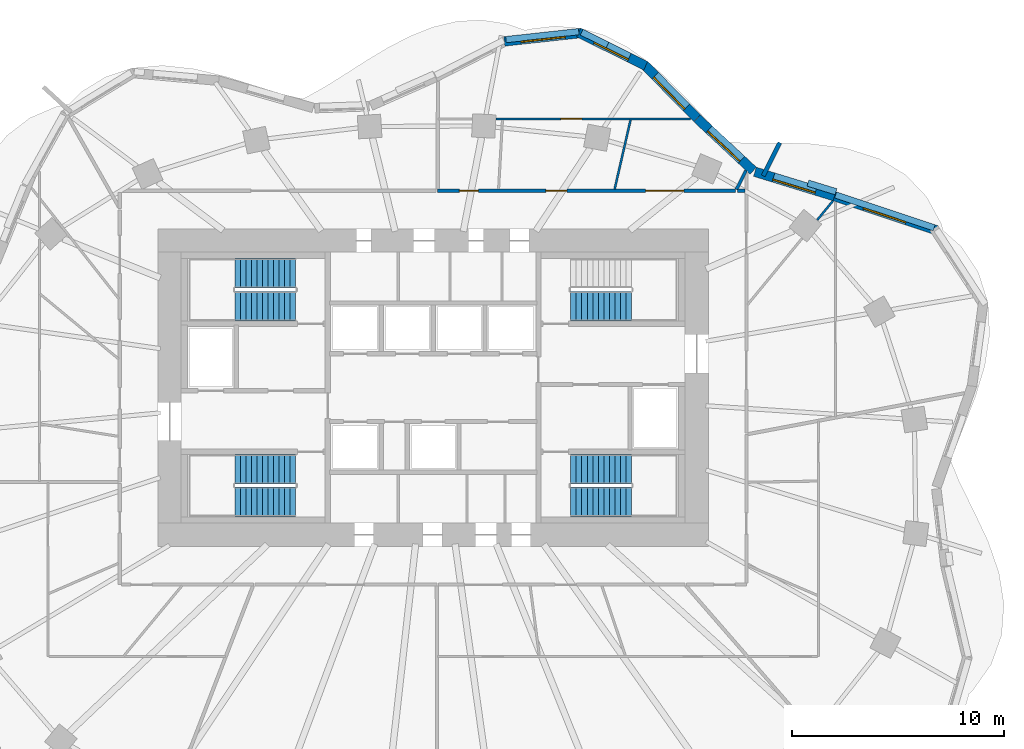
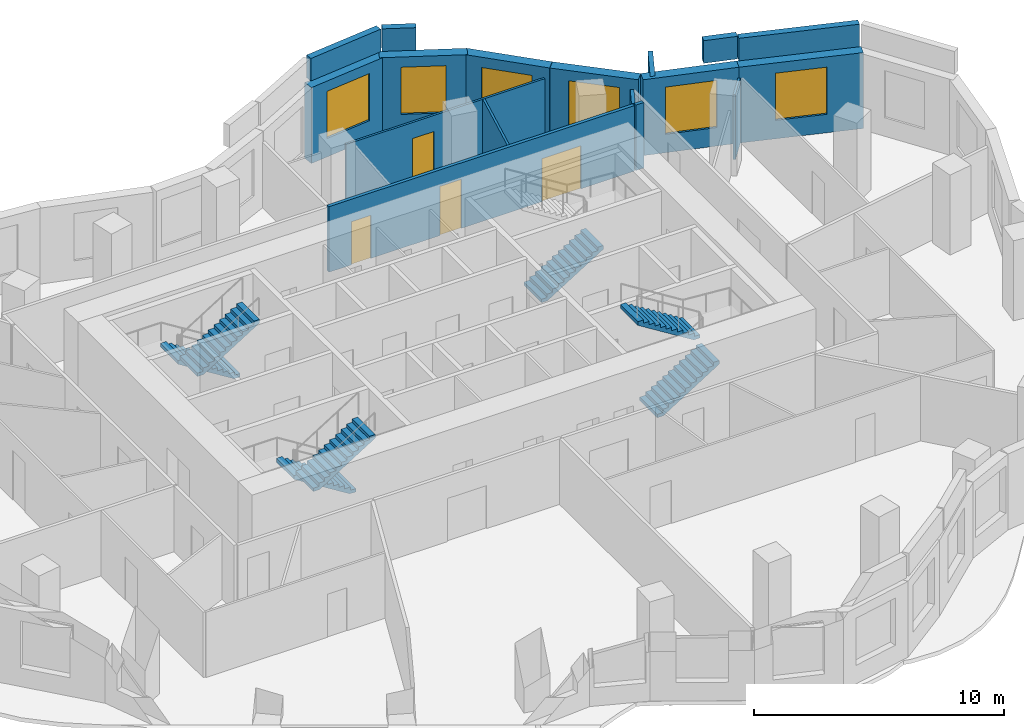
# One storey, part 8 of 10: 17 walls, 7 stair flights, 6 windows, 4 doors, 10 openings, 4 elements without a shape of their own.
"""IFC4 building model written with IfcOpenShell, lengths in metres."""

from ifc_helpers import new_model, si_unit, direction, frame, frame_2d, origin, place, context, subcontext, project, spatial, polyline, rectangle, outline, extrude, material, layer, layer_set, type_object, element, fill, aggregate, save


model = new_model("IFC4")

# Units and contexts
model_context = context("Model", 3, precision=1e-05, world=origin(), true_north=direction((0.0, 1.0)))
body_context = subcontext(model_context, "Body", "Model", "MODEL_VIEW")
ifc_project = project(units=[si_unit("LENGTHUNIT", "METRE"), si_unit("AREAUNIT", "SQUARE_METRE"), si_unit("VOLUMEUNIT", "CUBIC_METRE"), si_unit("PLANEANGLEUNIT", "RADIAN"), si_unit("MASSUNIT", "GRAM", prefix="KILO")], contexts=[model_context])

# Site, building, storey
site_placement = place(None, origin())
site = spatial("IfcSite", under=ifc_project, at=site_placement, CompositionType="ELEMENT")
building_placement = place(site_placement, origin())
building = spatial("IfcBuilding", under=site, at=building_placement, Name="Rubra Terraces Tower", CompositionType="ELEMENT")
storey_placement = place(building_placement, frame((0.0, 0.0, 153.89990234375)))
storey = spatial("IfcBuildingStorey", under=building, at=storey_placement, Name="L37", CompositionType="ELEMENT", Elevation=153.89990234375)

# Wall, opening, window
ifc_material_1 = material(Name="Brick masonry red-brown", Category="masonry")
ifc_layer_1 = layer(ifc_material_1, 0.449951171875)
ifc_layer_set_1 = layer_set([ifc_layer_1], Name="Brick masonry red-brown")
wall_type_1 = type_object("IfcWallType", Name="Brick facade wall 450", PredefinedType="SOLIDWALL", material=ifc_layer_set_1)
wall_1_placement = place(storey_placement, frame((23.769775390625, 11.93798828125, 0.0), z_axis=(0.0, 0.0, 1.0), x_axis=(-0.948673679101, 0.316256621402, 0.0)))
wall_1 = element("IfcWall", 1, at=wall_1_placement, inside=storey, type_object=wall_type_1, Name="Facade wall L37 bay 4", PredefinedType="SOLIDWALL", context=body_context, shape_type="SweptSolid", body=[
    extrude(rectangle(XDim=5.076416015625, YDim=0.449951171875, at=frame_2d((2.5380859375, 0.0))), origin(), (0.0, 0.0, 1.0), 3.7001953125),
])
opening_1_placement = place(wall_1_placement, frame((1.48828125, 0.0, 0.89990234375)))
opening_1 = element("IfcOpeningElement", 2, at=opening_1_placement, cuts=wall_1, Name="Opening W1B", PredefinedType="OPENING", context=body_context, shape_type="SweptSolid", body=[
    extrude(rectangle(XDim=2.10009765625, YDim=2.300048828125, at=frame_2d((1.050048828125, 1.14990234375))), frame((0.0, 0.23486328125, 0.0), z_axis=(0.0, -1.0, 0.0), x_axis=(1.0, 0.0, 0.0)), (0.0, 0.0, 1.0), 0.469970703125),
])
ifc_material_2 = material(Name="Clear glass in aluminium frame", Category="aluminium")
window_type_1 = type_object("IfcWindowType", Name="Fixed deep-set window tall storey 2100 x 2300", PartitioningType="SINGLE_PANEL", PredefinedType="WINDOW", material=ifc_material_2)
window_1_placement = place(opening_1_placement, origin())
window_1 = element("IfcWindow", 3, at=window_1_placement, inside=storey, type_object=window_type_1, Name="Window L37 bay 4", OverallHeight=2.300048828125, OverallWidth=2.10009765625, PartitioningType="SINGLE_PANEL", PredefinedType="WINDOW", context=body_context, shape_type="SweptSolid", body=[
    extrude(rectangle(XDim=2.10009765625, YDim=2.300048828125, at=frame_2d((1.050048828125, 1.14990234375))), frame((0.0, 0.135009765625, 0.0), z_axis=(0.0, -1.0, 0.0), x_axis=(1.0, 0.0, 0.0)), (0.0, 0.0, 1.0), 0.06005859375),
])
fill(opening_1, window_1)

wall_2_placement = place(storey_placement, frame((18.95751953125, 13.542236328125, 0.0), z_axis=(0.0, 0.0, 1.0), x_axis=(-0.955792437529, 0.294042201668, 0.0)))
wall_2 = element("IfcWall", 4, at=wall_2_placement, inside=storey, type_object=wall_type_1, Name="Facade wall L37 bay 5", PredefinedType="SOLIDWALL", context=body_context, shape_type="SweptSolid", body=[
    extrude(rectangle(XDim=3.9306640625, YDim=0.449951171875, at=frame_2d((1.96533203125, 0.0))), origin(), (0.0, 0.0, 1.0), 3.7001953125),
])
opening_2_placement = place(wall_2_placement, frame((0.915283203125, 0.0, 0.89990234375)))
opening_2 = element("IfcOpeningElement", 5, at=opening_2_placement, cuts=wall_2, Name="Opening W1B", PredefinedType="OPENING", context=body_context, shape_type="SweptSolid", body=[
    extrude(rectangle(XDim=2.10009765625, YDim=2.300048828125, at=frame_2d((1.050048828125, 1.14990234375))), frame((0.0, 0.23486328125, 0.0), z_axis=(0.0, -1.0, 0.0), x_axis=(1.0, 0.0, 0.0)), (0.0, 0.0, 1.0), 0.469970703125),
])
window_2_placement = place(opening_2_placement, origin())
window_2 = element("IfcWindow", 6, at=window_2_placement, inside=storey, type_object=window_type_1, Name="Window L37 bay 5", OverallHeight=2.300048828125, OverallWidth=2.10009765625, PartitioningType="SINGLE_PANEL", PredefinedType="WINDOW", context=body_context, shape_type="SweptSolid", body=[
    extrude(rectangle(XDim=2.10009765625, YDim=2.300048828125, at=frame_2d((1.050048828125, 1.14990234375))), frame((0.0, 0.135009765625, 0.0), z_axis=(0.0, -1.0, 0.0), x_axis=(1.0, 0.0, 0.0)), (0.0, 0.0, 1.0), 0.06005859375),
])
fill(opening_2, window_2)

wall_3_placement = place(storey_placement, frame((15.120849609375, 14.744873046875, 0.0), z_axis=(0.0, 0.0, 1.0), x_axis=(-0.730618259172, 0.68278617397, 0.0)))
wall_3 = element("IfcWall", 7, at=wall_3_placement, inside=storey, type_object=wall_type_1, Name="Facade wall L37 bay 6", PredefinedType="SOLIDWALL", context=body_context, shape_type="SweptSolid", body=[
    extrude(rectangle(XDim=3.6240234375, YDim=0.449951171875, at=frame_2d((1.81201171875, 0.0))), origin(), (0.0, 0.0, 1.0), 3.7001953125),
])
opening_3_placement = place(wall_3_placement, frame((0.76220703125, 0.0, 0.89990234375)))
opening_3 = element("IfcOpeningElement", 8, at=opening_3_placement, cuts=wall_3, Name="Opening W1B", PredefinedType="OPENING", context=body_context, shape_type="SweptSolid", body=[
    extrude(rectangle(XDim=2.10009765625, YDim=2.300048828125, at=frame_2d((1.050048828125, 1.14990234375))), frame((0.0, 0.23486328125, 0.0), z_axis=(0.0, -1.0, 0.0), x_axis=(1.0, 0.0, 0.0)), (0.0, 0.0, 1.0), 0.469970703125),
])
window_3_placement = place(opening_3_placement, origin())
window_3 = element("IfcWindow", 9, at=window_3_placement, inside=storey, type_object=window_type_1, Name="Window L37 bay 6", OverallHeight=2.300048828125, OverallWidth=2.10009765625, PartitioningType="SINGLE_PANEL", PredefinedType="WINDOW", context=body_context, shape_type="SweptSolid", body=[
    extrude(rectangle(XDim=2.10009765625, YDim=2.300048828125, at=frame_2d((1.050048828125, 1.14990234375))), frame((0.0, 0.135009765625, 0.0), z_axis=(0.0, -1.0, 0.0), x_axis=(1.0, 0.0, 0.0)), (0.0, 0.0, 1.0), 0.06005859375),
])
fill(opening_3, window_3)

wall_4_placement = place(storey_placement, frame((12.46630859375, 17.2255859375, 0.0), z_axis=(0.0, 0.0, 1.0), x_axis=(-0.701875966769, 0.712299183821, 0.0)))
wall_4 = element("IfcWall", 10, at=wall_4_placement, inside=storey, type_object=wall_type_1, Name="Facade wall L37 bay 7", PredefinedType="SOLIDWALL", context=body_context, shape_type="SweptSolid", body=[
    extrude(rectangle(XDim=3.536865234375, YDim=0.449951171875, at=frame_2d((1.7685546875, 0.0))), origin(), (0.0, 0.0, 1.0), 3.7001953125),
])
opening_4_placement = place(wall_4_placement, frame((0.71826171875, 0.0, 0.89990234375)))
opening_4 = element("IfcOpeningElement", 11, at=opening_4_placement, cuts=wall_4, Name="Opening W1B", PredefinedType="OPENING", context=body_context, shape_type="SweptSolid", body=[
    extrude(rectangle(XDim=2.10009765625, YDim=2.300048828125, at=frame_2d((1.050048828125, 1.14990234375))), frame((0.0, 0.23486328125, 0.0), z_axis=(0.0, -1.0, 0.0), x_axis=(1.0, 0.0, 0.0)), (0.0, 0.0, 1.0), 0.469970703125),
])
window_4_placement = place(opening_4_placement, origin())
window_4 = element("IfcWindow", 12, at=window_4_placement, inside=storey, type_object=window_type_1, Name="Window L37 bay 7", OverallHeight=2.300048828125, OverallWidth=2.10009765625, PartitioningType="SINGLE_PANEL", PredefinedType="WINDOW", context=body_context, shape_type="SweptSolid", body=[
    extrude(rectangle(XDim=2.10009765625, YDim=2.300048828125, at=frame_2d((1.050048828125, 1.14990234375))), frame((0.0, 0.135009765625, 0.0), z_axis=(0.0, -1.0, 0.0), x_axis=(1.0, 0.0, 0.0)), (0.0, 0.0, 1.0), 0.06005859375),
])
fill(opening_4, window_4)

wall_5_placement = place(storey_placement, frame((10.041748046875, 19.70361328125, 0.0), z_axis=(0.0, 0.0, 1.0), x_axis=(-0.895268695224, 0.445526613517, 0.0)))
wall_5 = element("IfcWall", 13, at=wall_5_placement, inside=storey, type_object=wall_type_1, Name="Facade wall L37 bay 8", PredefinedType="SOLIDWALL", context=body_context, shape_type="SweptSolid", body=[
    extrude(rectangle(XDim=3.532958984375, YDim=0.449951171875, at=frame_2d((1.7666015625, 0.0))), origin(), (0.0, 0.0, 1.0), 3.7001953125),
])
opening_5_placement = place(wall_5_placement, frame((0.866455078125, 0.0, 0.89990234375)))
opening_5 = element("IfcOpeningElement", 14, at=opening_5_placement, cuts=wall_5, Name="Opening W6B", PredefinedType="OPENING", context=body_context, shape_type="SweptSolid", body=[
    extrude(rectangle(XDim=1.800048828125, YDim=2.300048828125, at=frame_2d((0.89990234375, 1.14990234375))), frame((0.0, 0.23486328125, 0.0), z_axis=(0.0, -1.0, 0.0), x_axis=(1.0, 0.0, 0.0)), (0.0, 0.0, 1.0), 0.469970703125),
])
window_type_2 = type_object("IfcWindowType", Name="Fixed deep-set window at wind fin tall storey 1800 x 2300", PartitioningType="SINGLE_PANEL", PredefinedType="WINDOW", material=ifc_material_2)
window_5_placement = place(opening_5_placement, origin())
window_5 = element("IfcWindow", 15, at=window_5_placement, inside=storey, type_object=window_type_2, Name="Window L37 bay 8", OverallHeight=2.300048828125, OverallWidth=1.800048828125, PartitioningType="SINGLE_PANEL", PredefinedType="WINDOW", context=body_context, shape_type="SweptSolid", body=[
    extrude(rectangle(XDim=1.800048828125, YDim=2.300048828125, at=frame_2d((0.89990234375, 1.14990234375))), frame((0.0, 0.135009765625, 0.0), z_axis=(0.0, -1.0, 0.0), x_axis=(1.0, 0.0, 0.0)), (0.0, 0.0, 1.0), 0.06005859375),
])
fill(opening_5, window_5)

wall_6_placement = place(storey_placement, frame((7.00341796875, 21.25537109375, 0.0), z_axis=(0.0, 0.0, 1.0), x_axis=(-0.99407653264, -0.108682322638, 0.0)))
wall_6 = element("IfcWall", 16, at=wall_6_placement, inside=storey, type_object=wall_type_1, Name="Facade wall L37 bay 9", PredefinedType="SOLIDWALL", context=body_context, shape_type="SweptSolid", body=[
    extrude(rectangle(XDim=3.66162109375, YDim=0.449951171875, at=frame_2d((1.830810546875, 0.0))), origin(), (0.0, 0.0, 1.0), 3.7001953125),
])
opening_6_placement = place(wall_6_placement, frame((0.78076171875, 0.0, 0.89990234375)))
opening_6 = element("IfcOpeningElement", 17, at=opening_6_placement, cuts=wall_6, Name="Opening W1B", PredefinedType="OPENING", context=body_context, shape_type="SweptSolid", body=[
    extrude(rectangle(XDim=2.10009765625, YDim=2.300048828125, at=frame_2d((1.050048828125, 1.14990234375))), frame((0.0, 0.23486328125, 0.0), z_axis=(0.0, -1.0, 0.0), x_axis=(1.0, 0.0, 0.0)), (0.0, 0.0, 1.0), 0.469970703125),
])
window_6_placement = place(opening_6_placement, origin())
window_6 = element("IfcWindow", 18, at=window_6_placement, inside=storey, type_object=window_type_1, Name="Window L37 bay 9", OverallHeight=2.300048828125, OverallWidth=2.10009765625, PartitioningType="SINGLE_PANEL", PredefinedType="WINDOW", context=body_context, shape_type="SweptSolid", body=[
    extrude(rectangle(XDim=2.10009765625, YDim=2.300048828125, at=frame_2d((1.050048828125, 1.14990234375))), frame((0.0, 0.135009765625, 0.0), z_axis=(0.0, -1.0, 0.0), x_axis=(1.0, 0.0, 0.0)), (0.0, 0.0, 1.0), 0.06005859375),
])
fill(opening_6, window_6)

# Walls
ifc_layer_2 = layer(ifc_material_1, 0.300048828125)
ifc_layer_set_2 = layer_set([ifc_layer_2], Name="Brick masonry red-brown")
wall_type_2 = type_object("IfcWallType", Name="Brick parapet 300", PredefinedType="PARAPET", material=ifc_layer_set_2)
wall_7_placement = place(storey_placement, frame((23.669677734375, 12.05029296875, 3.900146484375), z_axis=(0.0, 0.0, 1.0), x_axis=(-0.948668385515, 0.316272500107, 0.0)))
element("IfcWall", 19, at=wall_7_placement, inside=storey, type_object=wall_type_2, Name="Parapet L37 bay 4", PredefinedType="PARAPET", context=body_context, shape_type="SweptSolid", body=[
    extrude(rectangle(XDim=4.911865234375, YDim=0.300048828125, at=frame_2d((2.4560546875, 0.0))), origin(), (0.0, 0.0, 1.0), 1.099853515625),
])
wall_8_placement = place(storey_placement, frame((19.029052734375, 13.755615234375, 3.900146484375), z_axis=(0.0, 0.0, 1.0), x_axis=(-0.955790436059, 0.294048707425, 0.0)))
element("IfcWall", 20, at=wall_8_placement, inside=storey, type_object=wall_type_2, Name="Parapet L37 bay 5", PredefinedType="PARAPET", context=body_context, shape_type="SweptSolid", body=[
    extrude(rectangle(XDim=1.3857421875, YDim=0.300048828125, at=frame_2d((0.69287109375, 0.0))), origin(), (0.0, 0.0, 1.0), 1.099853515625),
])
wall_9_placement = place(storey_placement, frame((8.23681640625, 20.685546875, 3.900146484375), z_axis=(0.0, 0.0, 1.0), x_axis=(-0.895321970712, 0.445419542409, 0.0)))
element("IfcWall", 21, at=wall_9_placement, inside=storey, type_object=wall_type_2, Name="Parapet L37 bay 8", PredefinedType="PARAPET", context=body_context, shape_type="SweptSolid", body=[
    extrude(rectangle(XDim=1.361572265625, YDim=0.300048828125, at=frame_2d((0.6806640625, 0.0))), origin(), (0.0, 0.0, 1.0), 1.099853515625),
])
wall_10_placement = place(storey_placement, frame((6.8779296875, 21.317138671875, 3.900146484375), z_axis=(0.0, 0.0, 1.0), x_axis=(-0.994072526282, -0.108718961045, 0.0)))
element("IfcWall", 22, at=wall_10_placement, inside=storey, type_object=wall_type_2, Name="Parapet L37 bay 9", PredefinedType="PARAPET", context=body_context, shape_type="SweptSolid", body=[
    extrude(rectangle(XDim=3.458251953125, YDim=0.300048828125, at=frame_2d((1.72900390625, 0.0))), origin(), (0.0, 0.0, 1.0), 1.099853515625),
])
ifc_layer_3 = layer(ifc_material_1, 0.199951171875)
ifc_layer_set_3 = layer_set([ifc_layer_3], Name="Brick masonry red-brown")
wall_type_3 = type_object("IfcWallType", Name="Brick wind fin 200", PredefinedType="SOLIDWALL", material=ifc_layer_set_3)
wall_11_placement = place(storey_placement, frame((15.5869140625, 14.507080078125, 0.0), z_axis=(0.0, 0.0, 1.0), x_axis=(0.452117231361, 0.89195852432, 0.0)))
element("IfcWall", 23, at=wall_11_placement, inside=storey, type_object=wall_type_3, Name="Wind fin L37 3", PredefinedType="SOLIDWALL", context=body_context, shape_type="SweptSolid", body=[
    extrude(rectangle(XDim=1.75, YDim=0.199951171875, at=frame_2d((0.875, 0.0))), origin(), (0.0, 0.0, 1.0), 3.7001953125),
])

# Wall, openings, doors
ifc_material_3 = material(Name="Plasterboard on steel stud, mineral wool infill", Category="steel")
ifc_layer_4 = layer(ifc_material_3, 0.14990234375)
ifc_layer_set_4 = layer_set([ifc_layer_4], Name="Plasterboard on steel stud, mineral wool infill")
wall_type_4 = type_object("IfcWallType", Name="CORRIDOR PARTITION 150", PredefinedType="PARTITIONING", material=ifc_layer_set_4)
wall_12_placement = place(storey_placement, frame((14.2919921875, 13.800048828125, 0.0), z_axis=(0.0, 0.0, 1.0), x_axis=(-1.0, 0.0, 0.0)))
wall_12 = element("IfcWall", 24, at=wall_12_placement, inside=storey, type_object=wall_type_4, Name="PARTITION", PredefinedType="PARTITIONING", context=body_context, shape_type="SweptSolid", body=[
    extrude(rectangle(XDim=14.078125, YDim=0.14990234375, at=frame_2d((7.0390625, 0.0))), origin(), (0.0, 0.0, 1.0), 3.197998046875),
])
opening_7_placement = place(wall_12_placement, frame((2.449951171875, 0.0, 0.0)))
opening_7 = element("IfcOpeningElement", 25, at=opening_7_placement, cuts=wall_12, Name="Opening 37-101", PredefinedType="OPENING", context=body_context, shape_type="SweptSolid", body=[
    extrude(rectangle(XDim=1.800048828125, YDim=2.10009765625, at=frame_2d((0.89990234375, 1.050048828125))), frame((0.0, 0.0849609375, 0.0), z_axis=(0.0, -1.0, 0.0), x_axis=(1.0, 0.0, 0.0)), (0.0, 0.0, 1.0), 0.169921875),
])
opening_8_placement = place(wall_12_placement, frame((7.970947265625, 0.0, 0.0)))
opening_8 = element("IfcOpeningElement", 26, at=opening_8_placement, cuts=wall_12, Name="Opening 37-102", PredefinedType="OPENING", context=body_context, shape_type="SweptSolid", body=[
    extrude(rectangle(XDim=1.0, YDim=2.39990234375, at=frame_2d((0.5, 1.199951171875))), frame((0.0, 0.0849609375, 0.0), z_axis=(0.0, -1.0, 0.0), x_axis=(1.0, 0.0, 0.0)), (0.0, 0.0, 1.0), 0.169921875),
])
opening_9_placement = place(wall_12_placement, frame((12.14990234375, 0.0, 0.0)))
opening_9 = element("IfcOpeningElement", 27, at=opening_9_placement, cuts=wall_12, Name="Opening 37-125", PredefinedType="OPENING", context=body_context, shape_type="SweptSolid", body=[
    extrude(rectangle(XDim=0.89990234375, YDim=2.10009765625, at=frame_2d((0.449951171875, 1.050048828125))), frame((0.0, 0.0849609375, 0.0), z_axis=(0.0, -1.0, 0.0), x_axis=(1.0, 0.0, 0.0)), (0.0, 0.0, 1.0), 0.169921875),
])
ifc_material_4 = material(Name="Painted timber door leaf", Category="wood")
door_type_1 = type_object("IfcDoorType", Name="BATHROOM DOOR 900 X 2100", OperationType="SINGLE_SWING_LEFT", PredefinedType="DOOR", material=ifc_material_4)
door_1_placement = place(opening_9_placement, origin())
door_1 = element("IfcDoor", 28, at=door_1_placement, inside=storey, type_object=door_type_1, Name="DOOR 37-125", OperationType="SINGLE_SWING_RIGHT", OverallHeight=2.10009765625, OverallWidth=0.89990234375, PredefinedType="DOOR", context=body_context, shape_type="SweptSolid", body=[
    extrude(rectangle(XDim=0.89990234375, YDim=2.10009765625, at=frame_2d((0.449951171875, 1.050048828125))), frame((0.0, 0.02490234375, 0.0), z_axis=(0.0, -1.0, 0.0), x_axis=(1.0, 0.0, 0.0)), (0.0, 0.0, 1.0), 0.050048828125),
])
fill(opening_9, door_1)
ifc_material_5 = material(Name="Glazed aluminium meeting door leaf", Category="aluminium")
door_type_2 = type_object("IfcDoorType", Name="MEETING ROOM GLAZED DOOR 1000 X 2400", OperationType="SINGLE_SWING_LEFT", PredefinedType="DOOR", material=ifc_material_5)
door_2_placement = place(opening_8_placement, origin())
door_2 = element("IfcDoor", 29, at=door_2_placement, inside=storey, type_object=door_type_2, Name="DOOR 37-102", OperationType="SINGLE_SWING_RIGHT", OverallHeight=2.39990234375, OverallWidth=1.0, PredefinedType="DOOR", context=body_context, shape_type="SweptSolid", body=[
    extrude(rectangle(XDim=1.0, YDim=2.39990234375, at=frame_2d((0.5, 1.199951171875))), frame((0.0, 0.02490234375, 0.0), z_axis=(0.0, -1.0, 0.0), x_axis=(1.0, 0.0, 0.0)), (0.0, 0.0, 1.0), 0.050048828125),
])
fill(opening_8, door_2)
ifc_material_6 = material(Name="Painted timber door leaf, double", Category="wood")
door_type_3 = type_object("IfcDoorType", Name="ROOM DOUBLE DOOR 1800 X 2100", OperationType="DOUBLE_DOOR_SINGLE_SWING", PredefinedType="DOOR", material=ifc_material_6)
door_3_placement = place(opening_7_placement, origin())
door_3 = element("IfcDoor", 30, at=door_3_placement, inside=storey, type_object=door_type_3, Name="DOOR 37-101", OperationType="DOUBLE_DOOR_SINGLE_SWING", OverallHeight=2.10009765625, OverallWidth=1.800048828125, PredefinedType="DOOR", context=body_context, shape_type="SweptSolid", body=[
    extrude(rectangle(XDim=1.800048828125, YDim=2.10009765625, at=frame_2d((0.89990234375, 1.050048828125))), frame((0.0, 0.02490234375, 0.0), z_axis=(0.0, -1.0, 0.0), x_axis=(1.0, 0.0, 0.0)), (0.0, 0.0, 1.0), 0.050048828125),
])
fill(opening_7, door_3)

# Wall
wall_13_placement = place(storey_placement, frame((14.72509765625, 13.800048828125, 0.0), z_axis=(0.0, 0.0, 1.0), x_axis=(-1.0, 0.0, 0.0)))
element("IfcWall", 31, at=wall_13_placement, inside=storey, type_object=wall_type_4, Name="PARTITION", PredefinedType="PARTITIONING", context=body_context, shape_type="SweptSolid", body=[
    extrude(rectangle(XDim=0.358154296875, YDim=0.14990234375, at=frame_2d((0.17919921875, 0.0))), origin(), (0.0, 0.0, 1.0), 3.197998046875),
])

# Wall, opening, door
ifc_material_7 = material(Name="Plasterboard on steel stud", Category="steel")
ifc_layer_5 = layer(ifc_material_7, 0.10009765625)
ifc_layer_set_5 = layer_set([ifc_layer_5], Name="Plasterboard on steel stud")
wall_type_5 = type_object("IfcWallType", Name="ROOM PARTITION 100", PredefinedType="PARTITIONING", material=ifc_layer_set_5)
wall_14_placement = place(storey_placement, frame((2.979248046875, 17.199951171875, 0.0), z_axis=(0.0, 0.0, 1.0), x_axis=(1.0, 0.0, 0.0)))
wall_14 = element("IfcWall", 32, at=wall_14_placement, inside=storey, type_object=wall_type_5, Name="PARTITION", PredefinedType="PARTITIONING", context=body_context, shape_type="SweptSolid", body=[
    extrude(rectangle(XDim=9.16845703125, YDim=0.10009765625, at=frame_2d((4.584228515625, 0.0))), origin(), (0.0, 0.0, 1.0), 3.18408203125),
])
opening_10_placement = place(wall_14_placement, frame((3.050048828125, 0.0, 0.0)))
opening_10 = element("IfcOpeningElement", 33, at=opening_10_placement, cuts=wall_14, Name="Opening 37-124", PredefinedType="OPENING", context=body_context, shape_type="SweptSolid", body=[
    extrude(rectangle(XDim=1.0, YDim=2.39990234375, at=frame_2d((0.5, 1.199951171875))), frame((0.0, 0.06005859375, 0.0), z_axis=(0.0, -1.0, 0.0), x_axis=(1.0, 0.0, 0.0)), (0.0, 0.0, 1.0), 0.1201171875),
])
door_4_placement = place(opening_10_placement, origin())
door_4 = element("IfcDoor", 34, at=door_4_placement, inside=storey, type_object=door_type_2, Name="DOOR 37-124", OperationType="SINGLE_SWING_LEFT", OverallHeight=2.39990234375, OverallWidth=1.0, PredefinedType="DOOR", context=body_context, shape_type="SweptSolid", body=[
    extrude(rectangle(XDim=1.0, YDim=2.39990234375, at=frame_2d((0.5, 1.199951171875))), frame((0.0, 0.02490234375, 0.0), z_axis=(0.0, -1.0, 0.0), x_axis=(1.0, 0.0, 0.0)), (0.0, 0.0, 1.0), 0.050048828125),
])
fill(opening_10, door_4)

# Walls
wall_15_placement = place(storey_placement, frame((8.572509765625, 13.873046875, 0.0), z_axis=(0.0, 0.0, 1.0), x_axis=(0.224048430302, 0.974578011695, 0.0)))
element("IfcWall", 35, at=wall_15_placement, inside=storey, type_object=wall_type_5, Name="PARTITION", PredefinedType="PARTITIONING", context=body_context, shape_type="SweptSolid", body=[
    extrude(rectangle(XDim=3.36376953125, YDim=0.10009765625, at=frame_2d((1.681884765625, 0.0))), origin(), (0.0, 0.0, 1.0), 3.18408203125),
])
wall_16_placement = place(storey_placement, frame((18.147216796875, 12.4248046875, 0.0), z_axis=(0.0, 0.0, 1.0), x_axis=(0.635347162235, 0.772226639945, 0.0)))
element("IfcWall", 36, at=wall_16_placement, inside=storey, type_object=wall_type_5, Name="PARTITION", PredefinedType="PARTITIONING", context=body_context, shape_type="SweptSolid", body=[
    extrude(rectangle(XDim=1.164794921875, YDim=0.10009765625, at=frame_2d((0.58251953125, 0.0))), origin(), (0.0, 0.0, 1.0), 3.18408203125),
])
ifc_layer_6 = layer(ifc_material_7, 0.14990234375)
ifc_layer_set_6 = layer_set([ifc_layer_6], Name="Plasterboard on steel stud")
wall_type_6 = type_object("IfcWallType", Name="ROOM PARTITION 150", PredefinedType="PARTITIONING", material=ifc_layer_set_6)
wall_17_placement = place(storey_placement, frame((14.779052734375, 14.7509765625, 0.0), z_axis=(0.0, 0.0, 1.0), x_axis=(-0.45584263358, -0.890060387508, 0.0)))
element("IfcWall", 37, at=wall_17_placement, inside=storey, type_object=wall_type_6, Name="PARTITION", PredefinedType="PARTITIONING", context=body_context, shape_type="SweptSolid", body=[
    extrude(rectangle(XDim=0.993408203125, YDim=0.14990234375, at=frame_2d((0.49658203125, 0.0))), origin(), (0.0, 0.0, 1.0), 3.197998046875),
])

# Stair, stair flights
ifc_material_8 = material(Name="Concrete C40", Category="concrete")
stair_type = type_object("IfcStairType", Name="Core stair 1400", PredefinedType="HALF_TURN_STAIR", material=ifc_material_8)
stair_1_placement = place(storey_placement, origin())
stair_1 = element("IfcStair", 38, at=stair_1_placement, inside=storey, type_object=stair_type, Name="L37 Exit stair S1", PredefinedType="HALF_TURN_STAIR")
stair_flight_type = type_object("IfcStairFlightType", Name="Core stair flight 1400", PredefinedType="STRAIGHT", material=ifc_material_8)
stair_flight_1_placement = place(storey_placement, frame((-6.5, 0.64990234375, 0.0), z_axis=(0.0, 0.0, 1.0), x_axis=(-1.0, 0.0, 0.0)))
stair_flight_1 = element("IfcStairFlight", 39, at=stair_flight_1_placement, type_object=stair_flight_type, Name="S1 flight 1", NumberOfRisers=12, NumberOfTreads=11, PredefinedType="STRAIGHT", RiserHeight=0.1625, TreadLength=0.26, context=body_context, shape_type="SweptSolid", body=[
    extrude(outline(polyline([(0.0, 0.0), (0.0, 0.16259765625), (0.260009765625, 0.16259765625), (0.260009765625, 0.324951171875), (0.52001953125, 0.324951171875), (0.52001953125, 0.487548828125), (0.780029296875, 0.487548828125), (0.780029296875, 0.64990234375), (1.0400390625, 0.64990234375), (1.0400390625, 0.8125), (1.300048828125, 0.8125), (1.300048828125, 0.97509765625), (1.56005859375, 0.97509765625), (1.56005859375, 1.137451171875), (1.820068359375, 1.137451171875), (1.820068359375, 1.300048828125), (2.080078125, 1.300048828125), (2.080078125, 1.46240234375), (2.340087890625, 1.46240234375), (2.340087890625, 1.625), (2.60009765625, 1.625), (2.60009765625, 1.78759765625), (2.860107421875, 1.78759765625), (2.860107421875, 1.949951171875), (2.860107421875, 1.61083984375), (0.28271484375, 0.0), (0.0, 0.0)])), frame((0.0, 0.699951171875, 0.0), z_axis=(0.0, -1.0, 0.0), x_axis=(1.0, 0.0, 0.0)), (0.0, 0.0, 1.0), 1.39990234375),
])
stair_flight_2_placement = place(storey_placement, frame((-9.360107421875, -0.89990234375, 1.9501953125), z_axis=(0.0, 0.0, 1.0), x_axis=(1.0, 0.0, 0.0)))
stair_flight_2 = element("IfcStairFlight", 40, at=stair_flight_2_placement, type_object=stair_flight_type, Name="S1 flight 2", NumberOfRisers=12, NumberOfTreads=11, PredefinedType="STRAIGHT", RiserHeight=0.1625, TreadLength=0.26, context=body_context, shape_type="SweptSolid", body=[
    extrude(outline(polyline([(0.0, 0.0), (0.0, 0.16259765625), (0.260009765625, 0.16259765625), (0.260009765625, 0.324951171875), (0.52001953125, 0.324951171875), (0.52001953125, 0.487548828125), (0.780029296875, 0.487548828125), (0.780029296875, 0.64990234375), (1.0400390625, 0.64990234375), (1.0400390625, 0.8125), (1.300048828125, 0.8125), (1.300048828125, 0.97509765625), (1.56005859375, 0.97509765625), (1.56005859375, 1.137451171875), (1.820068359375, 1.137451171875), (1.820068359375, 1.300048828125), (2.080078125, 1.300048828125), (2.080078125, 1.46240234375), (2.340087890625, 1.46240234375), (2.340087890625, 1.625), (2.60009765625, 1.625), (2.60009765625, 1.78759765625), (2.860107421875, 1.78759765625), (2.860107421875, 1.949951171875), (2.860107421875, 1.61083984375), (0.28271484375, 0.0), (0.0, 0.0)])), frame((0.0, 0.699951171875, 0.0), z_axis=(0.0, -1.0, 0.0), x_axis=(1.0, 0.0, 0.0)), (0.0, 0.0, 1.0), 1.39990234375),
])
aggregate(stair_1, [stair_flight_1, stair_flight_2])

stair_2_placement = place(storey_placement, origin())
stair_2 = element("IfcStair", 41, at=stair_2_placement, inside=storey, type_object=stair_type, Name="L37 Exit stair S2", PredefinedType="HALF_TURN_STAIR")
stair_flight_3_placement = place(storey_placement, frame((-6.5, 9.89990234375, 0.0), z_axis=(0.0, 0.0, 1.0), x_axis=(-1.0, 0.0, 0.0)))
stair_flight_3 = element("IfcStairFlight", 42, at=stair_flight_3_placement, type_object=stair_flight_type, Name="S2 flight 1", NumberOfRisers=12, NumberOfTreads=11, PredefinedType="STRAIGHT", RiserHeight=0.1625, TreadLength=0.26, context=body_context, shape_type="SweptSolid", body=[
    extrude(outline(polyline([(0.0, 0.0), (0.0, 0.16259765625), (0.260009765625, 0.16259765625), (0.260009765625, 0.324951171875), (0.52001953125, 0.324951171875), (0.52001953125, 0.487548828125), (0.780029296875, 0.487548828125), (0.780029296875, 0.64990234375), (1.0400390625, 0.64990234375), (1.0400390625, 0.8125), (1.300048828125, 0.8125), (1.300048828125, 0.97509765625), (1.56005859375, 0.97509765625), (1.56005859375, 1.137451171875), (1.820068359375, 1.137451171875), (1.820068359375, 1.300048828125), (2.080078125, 1.300048828125), (2.080078125, 1.46240234375), (2.340087890625, 1.46240234375), (2.340087890625, 1.625), (2.60009765625, 1.625), (2.60009765625, 1.78759765625), (2.860107421875, 1.78759765625), (2.860107421875, 1.949951171875), (2.860107421875, 1.61083984375), (0.28271484375, 0.0), (0.0, 0.0)])), frame((0.0, 0.699951171875, 0.0), z_axis=(0.0, -1.0, 0.0), x_axis=(1.0, 0.0, 0.0)), (0.0, 0.0, 1.0), 1.39990234375),
])
stair_flight_4_placement = place(storey_placement, frame((-9.360107421875, 8.35009765625, 1.9501953125), z_axis=(0.0, 0.0, 1.0), x_axis=(1.0, 0.0, 0.0)))
stair_flight_4 = element("IfcStairFlight", 43, at=stair_flight_4_placement, type_object=stair_flight_type, Name="S2 flight 2", NumberOfRisers=12, NumberOfTreads=11, PredefinedType="STRAIGHT", RiserHeight=0.1625, TreadLength=0.26, context=body_context, shape_type="SweptSolid", body=[
    extrude(outline(polyline([(0.0, 0.0), (0.0, 0.16259765625), (0.260009765625, 0.16259765625), (0.260009765625, 0.324951171875), (0.52001953125, 0.324951171875), (0.52001953125, 0.487548828125), (0.780029296875, 0.487548828125), (0.780029296875, 0.64990234375), (1.0400390625, 0.64990234375), (1.0400390625, 0.8125), (1.300048828125, 0.8125), (1.300048828125, 0.97509765625), (1.56005859375, 0.97509765625), (1.56005859375, 1.137451171875), (1.820068359375, 1.137451171875), (1.820068359375, 1.300048828125), (2.080078125, 1.300048828125), (2.080078125, 1.46240234375), (2.340087890625, 1.46240234375), (2.340087890625, 1.625), (2.60009765625, 1.625), (2.60009765625, 1.78759765625), (2.860107421875, 1.78759765625), (2.860107421875, 1.949951171875), (2.860107421875, 1.61083984375), (0.28271484375, 0.0), (0.0, 0.0)])), frame((0.0, 0.699951171875, 0.0), z_axis=(0.0, -1.0, 0.0), x_axis=(1.0, 0.0, 0.0)), (0.0, 0.0, 1.0), 1.39990234375),
])
aggregate(stair_2, [stair_flight_3, stair_flight_4])

# Stair, stair flight
stair_3_placement = place(storey_placement, origin())
stair_3 = element("IfcStair", 44, at=stair_3_placement, inside=storey, type_object=stair_type, Name="L37 Exit stair S3", PredefinedType="HALF_TURN_STAIR")
stair_flight_5_placement = place(storey_placement, frame((6.5, 8.35009765625, 0.0), z_axis=(0.0, 0.0, 1.0), x_axis=(1.0, 0.0, 0.0)))
stair_flight_5 = element("IfcStairFlight", 45, at=stair_flight_5_placement, type_object=stair_flight_type, Name="S3 flight 1", NumberOfRisers=12, NumberOfTreads=11, PredefinedType="STRAIGHT", RiserHeight=0.1625, TreadLength=0.26, context=body_context, shape_type="SweptSolid", body=[
    extrude(outline(polyline([(0.0, 0.0), (0.0, 0.16259765625), (0.260009765625, 0.16259765625), (0.260009765625, 0.324951171875), (0.52001953125, 0.324951171875), (0.52001953125, 0.487548828125), (0.780029296875, 0.487548828125), (0.780029296875, 0.64990234375), (1.0400390625, 0.64990234375), (1.0400390625, 0.8125), (1.300048828125, 0.8125), (1.300048828125, 0.97509765625), (1.56005859375, 0.97509765625), (1.56005859375, 1.137451171875), (1.820068359375, 1.137451171875), (1.820068359375, 1.300048828125), (2.080078125, 1.300048828125), (2.080078125, 1.46240234375), (2.340087890625, 1.46240234375), (2.340087890625, 1.625), (2.60009765625, 1.625), (2.60009765625, 1.78759765625), (2.860107421875, 1.78759765625), (2.860107421875, 1.949951171875), (2.860107421875, 1.61083984375), (0.28271484375, 0.0), (0.0, 0.0)])), frame((0.0, 0.699951171875, 0.0), z_axis=(0.0, -1.0, 0.0), x_axis=(1.0, 0.0, 0.0)), (0.0, 0.0, 1.0), 1.39990234375),
])
aggregate(stair_3, [stair_flight_5])

# Stair, stair flights
stair_4_placement = place(storey_placement, origin())
stair_4 = element("IfcStair", 46, at=stair_4_placement, inside=storey, type_object=stair_type, Name="L37 Exit stair S4", PredefinedType="HALF_TURN_STAIR")
stair_flight_6_placement = place(storey_placement, frame((6.5, -0.89990234375, 0.0), z_axis=(0.0, 0.0, 1.0), x_axis=(1.0, 0.0, 0.0)))
stair_flight_6 = element("IfcStairFlight", 47, at=stair_flight_6_placement, type_object=stair_flight_type, Name="S4 flight 1", NumberOfRisers=12, NumberOfTreads=11, PredefinedType="STRAIGHT", RiserHeight=0.1625, TreadLength=0.26, context=body_context, shape_type="SweptSolid", body=[
    extrude(outline(polyline([(0.0, 0.0), (0.0, 0.16259765625), (0.260009765625, 0.16259765625), (0.260009765625, 0.324951171875), (0.52001953125, 0.324951171875), (0.52001953125, 0.487548828125), (0.780029296875, 0.487548828125), (0.780029296875, 0.64990234375), (1.0400390625, 0.64990234375), (1.0400390625, 0.8125), (1.300048828125, 0.8125), (1.300048828125, 0.97509765625), (1.56005859375, 0.97509765625), (1.56005859375, 1.137451171875), (1.820068359375, 1.137451171875), (1.820068359375, 1.300048828125), (2.080078125, 1.300048828125), (2.080078125, 1.46240234375), (2.340087890625, 1.46240234375), (2.340087890625, 1.625), (2.60009765625, 1.625), (2.60009765625, 1.78759765625), (2.860107421875, 1.78759765625), (2.860107421875, 1.949951171875), (2.860107421875, 1.61083984375), (0.28271484375, 0.0), (0.0, 0.0)])), frame((0.0, 0.699951171875, 0.0), z_axis=(0.0, -1.0, 0.0), x_axis=(1.0, 0.0, 0.0)), (0.0, 0.0, 1.0), 1.39990234375),
])
stair_flight_7_placement = place(storey_placement, frame((9.360107421875, 0.64990234375, 1.9501953125), z_axis=(0.0, 0.0, 1.0), x_axis=(-1.0, 0.0, 0.0)))
stair_flight_7 = element("IfcStairFlight", 48, at=stair_flight_7_placement, type_object=stair_flight_type, Name="S4 flight 2", NumberOfRisers=12, NumberOfTreads=11, PredefinedType="STRAIGHT", RiserHeight=0.1625, TreadLength=0.26, context=body_context, shape_type="SweptSolid", body=[
    extrude(outline(polyline([(0.0, 0.0), (0.0, 0.16259765625), (0.260009765625, 0.16259765625), (0.260009765625, 0.324951171875), (0.52001953125, 0.324951171875), (0.52001953125, 0.487548828125), (0.780029296875, 0.487548828125), (0.780029296875, 0.64990234375), (1.0400390625, 0.64990234375), (1.0400390625, 0.8125), (1.300048828125, 0.8125), (1.300048828125, 0.97509765625), (1.56005859375, 0.97509765625), (1.56005859375, 1.137451171875), (1.820068359375, 1.137451171875), (1.820068359375, 1.300048828125), (2.080078125, 1.300048828125), (2.080078125, 1.46240234375), (2.340087890625, 1.46240234375), (2.340087890625, 1.625), (2.60009765625, 1.625), (2.60009765625, 1.78759765625), (2.860107421875, 1.78759765625), (2.860107421875, 1.949951171875), (2.860107421875, 1.61083984375), (0.28271484375, 0.0), (0.0, 0.0)])), frame((0.0, 0.699951171875, 0.0), z_axis=(0.0, -1.0, 0.0), x_axis=(1.0, 0.0, 0.0)), (0.0, 0.0, 1.0), 1.39990234375),
])
aggregate(stair_4, [stair_flight_6, stair_flight_7])

save(model, "model.ifc")
